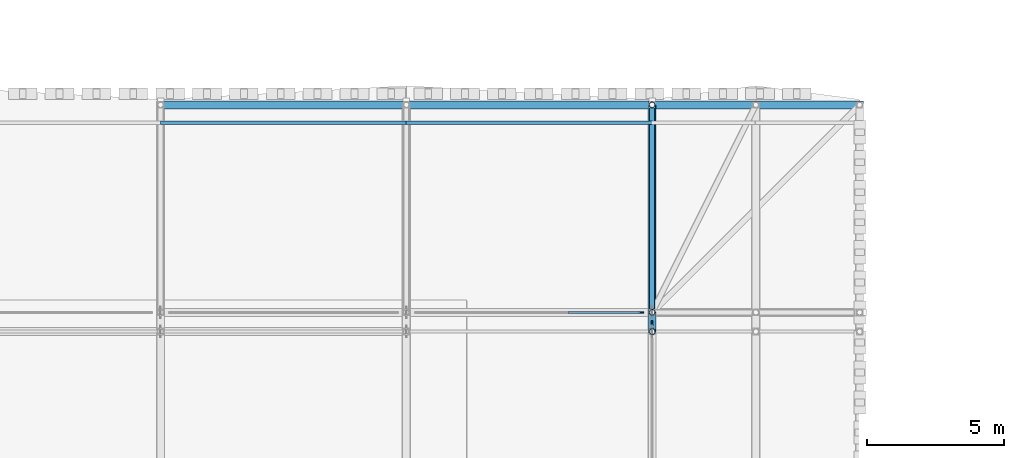
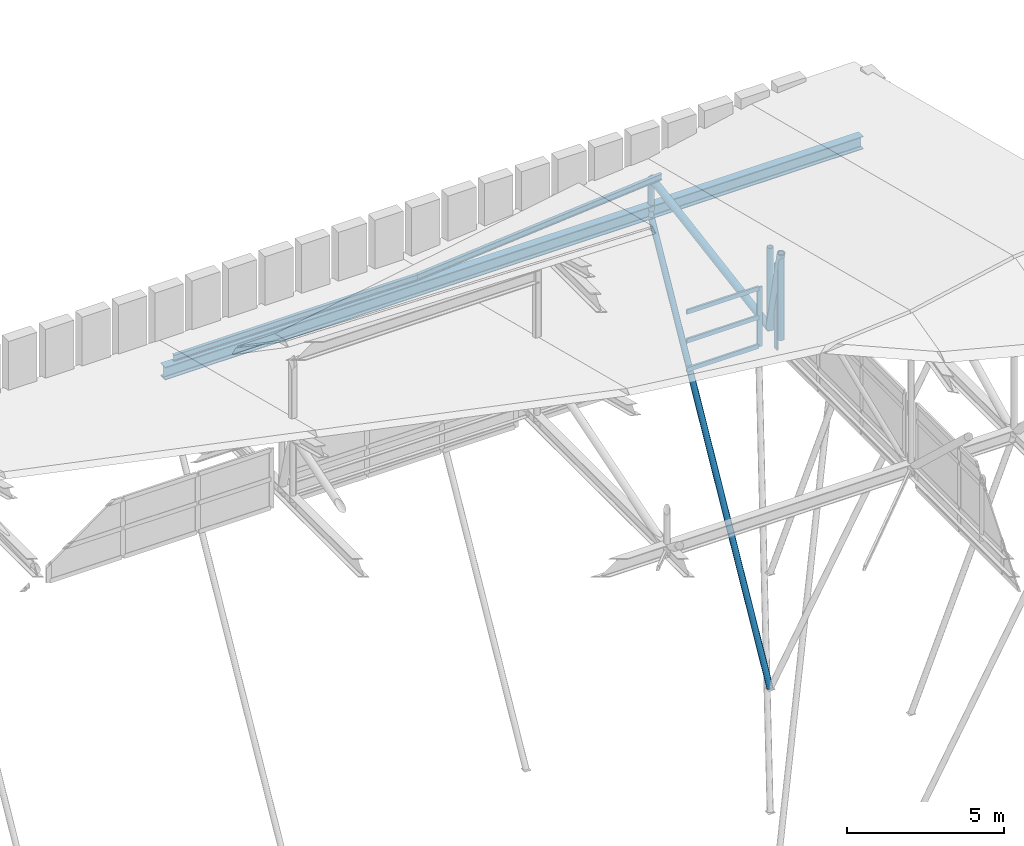
# One storey, part 21 of 42: 13 members, 1 beam, 2 elements without a shape of their own.
"""IFC4 building model written with IfcOpenShell, lengths in metres."""

import ifcopenshell
import ifcopenshell.guid

model = None  # the IFC model being written
_history = None  # IfcOwnerHistory: only IFC2X3 demands one
_inside = {}  # id of a spatial element -> (the spatial element, [elements in it])
_under = {}  # id of a project, library or spatial element -> (it, [spatial elements below it])
_declared = {}  # id of a project -> (the project, [libraries it declares])
_typed = {}  # id of a type object -> (the type object, [elements of that type])
_made_of = {}  # id of a material, layer set ... -> (it, [elements and type objects made of it])


def new_model(schema):
    """Start an empty IFC model of exactly this schema.

    Asked for "IFC4X3", IfcOpenShell would pick the latest addendum, in which some entities
    have other attributes; the version numbers below select the first issue.
    IFC2X3 requires an IfcOwnerHistory on every rooted entity: one is made here for all.
    """
    global model, _history
    if schema == "IFC4X3":
        model = ifcopenshell.file(schema_version=(4, 3, 0, 0))
    else:
        model = ifcopenshell.file(schema=schema)
    _inside.clear()
    _under.clear()
    _declared.clear()
    _typed.clear()
    _made_of.clear()
    _history = None
    if model.schema == "IFC2X3":
        org = make("IfcOrganization", Name="unknown")
        user = make(
            "IfcPersonAndOrganization",
            ThePerson=make("IfcPerson", FamilyName="unknown"),
            TheOrganization=org,
        )
        app = make(
            "IfcApplication",
            ApplicationDeveloper=org,
            Version="unknown",
            ApplicationFullName="unknown",
            ApplicationIdentifier="unknown",
        )
        _history = make(
            "IfcOwnerHistory",
            OwningUser=user,
            OwningApplication=app,
            ChangeAction="ADDED",
            CreationDate=0,
        )
    return model


def make(cls, **values):
    """One entity of the class cls with the attributes given. An attribute that is None is left unset."""
    return model.create_entity(
        cls, **{name: value for name, value in values.items() if value is not None}
    )


def rooted(cls, **values):
    """An entity with a GlobalId (a new one), such as an element, a storey or a relation."""
    return make(cls, GlobalId=ifcopenshell.guid.new(), OwnerHistory=_history, **values)


def si_unit(unit_type, name, prefix=None):
    """IfcSIUnit, for example si_unit("LENGTHUNIT", "METRE", prefix="MILLI")."""
    return make("IfcSIUnit", UnitType=unit_type, Prefix=prefix, Name=name)


def assignment(units):
    """IfcUnitAssignment: the units of a project."""
    return None if units is None else make("IfcUnitAssignment", Units=units)


def point(xyz):
    """IfcCartesianPoint."""
    return None if xyz is None else make("IfcCartesianPoint", Coordinates=xyz)


def direction(xyz):
    """IfcDirection."""
    return None if xyz is None else make("IfcDirection", DirectionRatios=xyz)


def frame(location, z_axis=None, x_axis=None):
    """IfcAxis2Placement3D, a coordinate frame: its origin and axes. An axis left out is left unset."""
    return make(
        "IfcAxis2Placement3D",
        Location=point(location),
        Axis=direction(z_axis),
        RefDirection=direction(x_axis),
    )


def frame_2d(location, x_axis=None):
    """IfcAxis2Placement2D, a coordinate frame in the plane: its origin and x axis."""
    return make(
        "IfcAxis2Placement2D", Location=point(location), RefDirection=direction(x_axis)
    )


def origin():
    """The frame at (0, 0, 0) with its axes left unset."""
    return frame((0.0, 0.0, 0.0))


def origin_2d():
    """The frame at (0, 0) in the plane with its x axis left unset."""
    return frame_2d((0.0, 0.0))


def place(relative_to, where):
    """IfcLocalPlacement: puts the frame where relative to a parent placement (None: the world)."""
    return make(
        "IfcLocalPlacement", PlacementRelTo=relative_to, RelativePlacement=where
    )


def context(
    kind, dimensions, precision=None, world=None, true_north=None, identifier=None
):
    """IfcGeometricRepresentationContext, for example the 3D "Model" context."""
    return make(
        "IfcGeometricRepresentationContext",
        ContextIdentifier=identifier,
        ContextType=kind,
        CoordinateSpaceDimension=dimensions,
        Precision=precision,
        WorldCoordinateSystem=world,
        TrueNorth=true_north,
    )


def subcontext(parent, identifier, kind, view, scale=None):
    """IfcGeometricRepresentationSubContext, for example "Body" below "Model"."""
    return make(
        "IfcGeometricRepresentationSubContext",
        ContextIdentifier=identifier,
        ContextType=kind,
        ParentContext=parent,
        TargetScale=scale,
        TargetView=view,
    )


def project(units=None, contexts=None):
    """IfcProject with its units and contexts."""
    return rooted(
        "IfcProject",
        Name="project",
        RepresentationContexts=contexts,
        UnitsInContext=assignment(units),
    )


def spatial(cls, under=None, at=None, **own):
    """A site, building, storey or space (cls), placed at a placement, below another one or the project."""
    s = rooted(cls, ObjectPlacement=at, **own)
    if under is not None:
        _under.setdefault(under.id(), (under, []))[1].append(s)
    return s


def profile(cls, at=None, kind="AREA", **sizes):
    """A parametric profile (cls). Its sizes go by their IFC names, for example OverallWidth=200.0."""
    return make(cls, ProfileType=kind, Position=at, **sizes)


def rectangle(**sizes):
    """IfcRectangleProfileDef."""
    return profile("IfcRectangleProfileDef", **sizes)


def hollow_circle(**sizes):
    """IfcCircleHollowProfileDef."""
    return profile("IfcCircleHollowProfileDef", **sizes)


def i_section(**sizes):
    """IfcIShapeProfileDef."""
    return profile("IfcIShapeProfileDef", **sizes)


def extrude(swept, where, along, depth):
    """IfcExtrudedAreaSolid: the profile swept, set in the frame where, extruded along a direction by depth."""
    return make(
        "IfcExtrudedAreaSolid",
        SweptArea=swept,
        Position=where,
        ExtrudedDirection=direction(along),
        Depth=depth,
    )


def shape(context_of_items, identifier, shape_type, items):
    """IfcShapeRepresentation: the items that make up one representation, for example the "Body"."""
    return make(
        "IfcShapeRepresentation",
        ContextOfItems=context_of_items,
        RepresentationIdentifier=identifier,
        RepresentationType=shape_type,
        Items=items,
    )


def material(Name=None, Category=None):
    """IfcMaterial."""
    return make("IfcMaterial", Name=Name, Category=Category)


def material_profile(
    of_material, cross_section, Name=None, Category=None, Priority=None
):
    """IfcMaterialProfile: a cross section and its material."""
    return make(
        "IfcMaterialProfile",
        Name=Name,
        Material=of_material,
        Profile=cross_section,
        Priority=Priority,
        Category=Category,
    )


def profile_set(profiles, Name=None, composite=None):
    """IfcMaterialProfileSet."""
    return make(
        "IfcMaterialProfileSet",
        Name=Name,
        MaterialProfiles=profiles,
        CompositeProfile=composite,
    )


def made_of(thing, what):
    """Note that an element or type object is made of a material, layer set ...; save() writes the relation."""
    if what is not None:
        _made_of.setdefault(what.id(), (what, []))[1].append(thing)
    return thing


def type_object(cls, material=None, **own):
    """A type object (cls), such as IfcWallType, which elements share."""
    return made_of(rooted(cls, **own), material)


def element(
    cls,
    number,
    at=None,
    inside=None,
    cuts=None,
    type_object=None,
    material=None,
    context=None,
    identifier="Body",
    shape_type=None,
    held_by="IfcProductDefinitionShape",
    body=None,
    shapes=None,
    **own,
):
    """One element of the class cls, such as IfcWall. Its Tag is "e" and its number.

    at: its placement. inside: the storey or other place that contains it. cuts: it is an
    opening in that element (IfcRelVoidsElement). A single representation is given by context,
    identifier, shape_type and body (its items); several are given by shapes. held_by: the class
    of the entity that holds the representations. save() writes the other relations.
    """
    e = rooted(cls, Tag="e%d" % number, ObjectPlacement=at, **own)
    if body is not None:
        shapes = [shape(context, identifier, shape_type, body)]
    if shapes is not None:
        e.Representation = make(held_by, Representations=shapes)
    if inside is not None:
        _inside.setdefault(inside.id(), (inside, []))[1].append(e)
    if cuts is not None:
        rooted(
            "IfcRelVoidsElement", RelatingBuildingElement=cuts, RelatedOpeningElement=e
        )
    if type_object is not None:
        _typed.setdefault(type_object.id(), (type_object, []))[1].append(e)
    return made_of(e, material)


def aggregate(whole, parts):
    """IfcRelAggregates: a whole, such as a stair, and the parts it consists of."""
    return rooted("IfcRelAggregates", RelatingObject=whole, RelatedObjects=parts)


def save(model, path):
    """Write the relations noted so far, then the file.

    IfcRelAggregates (storeys below a building ...), IfcRelContainedInSpatialStructure (elements
    in a storey), IfcRelDefinesByType, IfcRelAssociatesMaterial and IfcRelDeclares: one each for
    every whole, place, type object, material and project.
    """
    for whole, parts in _under.values():
        aggregate(whole, parts)
    for where, things in _inside.values():
        rooted(
            "IfcRelContainedInSpatialStructure",
            RelatedElements=things,
            RelatingStructure=where,
        )
    for kind, things in _typed.values():
        rooted("IfcRelDefinesByType", RelatedObjects=things, RelatingType=kind)
    for what, things in _made_of.values():
        rooted("IfcRelAssociatesMaterial", RelatedObjects=things, RelatingMaterial=what)
    for by, libraries in _declared.values():
        rooted("IfcRelDeclares", RelatingContext=by, RelatedDefinitions=libraries)
    model.write(path)


model = new_model("IFC4")

# Units and contexts
model_context = context("Model", 3, precision=1e-05, world=origin(), true_north=direction((0.0, 1.0)))
body_context = subcontext(model_context, "Body", "Model", "MODEL_VIEW")
ifc_project = project(units=[si_unit("LENGTHUNIT", "METRE"), si_unit("AREAUNIT", "SQUARE_METRE"), si_unit("VOLUMEUNIT", "CUBIC_METRE"), si_unit("PLANEANGLEUNIT", "RADIAN"), si_unit("MASSUNIT", "GRAM", prefix="KILO")], contexts=[model_context])

# Site, building, storey
site_placement = place(None, origin())
site = spatial("IfcSite", under=ifc_project, at=site_placement, CompositionType="ELEMENT")
building_placement = place(site_placement, origin())
building = spatial("IfcBuilding", under=site, at=building_placement, Name="Bozkorgan Art Gallery", CompositionType="ELEMENT")
storey_placement = place(building_placement, frame((0.0, 0.0, 28.800048828125)))
storey = spatial("IfcBuildingStorey", under=building, at=storey_placement, Name="RF", CompositionType="ELEMENT", Elevation=28.800048828125)

# Beam
ifc_material_1 = material(Name="Steel S355J2", Category="steel")
ifc_material_profile_1 = material_profile(ifc_material_1, i_section(OverallWidth=0.300048828125, OverallDepth=0.5, WebThickness=0.014404296875, FlangeThickness=0.028076171875, FilletRadius=0.027099609375, at=origin_2d()), Name="HEB 500")
ifc_profile_set_1 = profile_set([ifc_material_profile_1], Name="Steel S355J2")
beam_type = type_object("IfcBeamType", Name="BEAM-TO-52", PredefinedType="BEAM", material=ifc_profile_set_1)
beam_placement = place(storey_placement, frame((47.0, 27.60009765625, 0.25), z_axis=(1.0, 0.0, 0.0), x_axis=(0.0, 1.0, 0.0)))
element("IfcBeam", 1, at=beam_placement, inside=storey, type_object=beam_type, Name="ROOF-V1-MAIN east overhang continuous truss chord 4", PredefinedType="BEAM", context=body_context, shape_type="SweptSolid", body=[
    extrude(i_section(OverallWidth=0.300048828125, OverallDepth=0.5, WebThickness=0.014404296875, FlangeThickness=0.028076171875, FilletRadius=0.027099609375, at=origin_2d()), origin(), (0.0, 0.0, 1.0), 25.739990234375),
])

# Curtain wall, member
ifc_material_2 = material(Name="Anodised Bronze Aluminium", Category="aluminium")
curtain_wall_type_1 = type_object("IfcCurtainWallType", Name="CW-CW-28", PredefinedType="NOTDEFINED", material=ifc_material_2)
curtain_wall_1_placement = place(storey_placement, origin())
curtain_wall_1 = element("IfcCurtainWall", 2, at=curtain_wall_1_placement, inside=storey, type_object=curtain_wall_type_1, Name="RF unitised curtain wall CW-RF-V1-N-56", PredefinedType="NOTDEFINED")
ifc_material_profile_2 = material_profile(ifc_material_2, rectangle(XDim=0.06494140625, YDim=0.179931640625, at=origin_2d()), Name="ALU MULLION 65x180")
ifc_profile_set_2 = profile_set([ifc_material_profile_2], Name="Anodised Bronze Aluminium")
member_type_1 = type_object("IfcMemberType", Name="CWM-01", PredefinedType="MULLION", material=ifc_profile_set_2)
member_1_placement = place(storey_placement, frame((64.607421875, 20.0, -0.324951171875), z_axis=(0.0, 0.0, 1.0), x_axis=(0.0, 1.0, 0.0)))
member_1 = element("IfcMember", 3, at=member_1_placement, type_object=member_type_1, Name="CW-28 mullion 4", PredefinedType="MULLION", context=body_context, shape_type="SweptSolid", body=[
    extrude(rectangle(XDim=0.06494140625, YDim=0.179931640625, at=origin_2d()), origin(), (0.0, 0.0, 1.0), 2.324951171875),
])

curtain_wall_type_2 = type_object("IfcCurtainWallType", Name="CW-CW-62", PredefinedType="NOTDEFINED", material=ifc_material_2)
curtain_wall_2_placement = place(storey_placement, origin())
curtain_wall_2 = element("IfcCurtainWall", 4, at=curtain_wall_2_placement, inside=storey, type_object=curtain_wall_type_2, Name="RF unitised curtain wall CW-RF-V1-E-11", PredefinedType="NOTDEFINED")
member_2_placement = place(storey_placement, frame((65.0, 19.607421875, -0.324951171875), z_axis=(0.0, 0.0, 1.0), x_axis=(-1.0, 0.0, 0.0)))
member_2 = element("IfcMember", 5, at=member_2_placement, type_object=member_type_1, Name="CW-62 mullion 4", PredefinedType="MULLION", context=body_context, shape_type="SweptSolid", body=[
    extrude(rectangle(XDim=0.06494140625, YDim=0.179931640625, at=origin_2d()), origin(), (0.0, 0.0, 1.0), 3.324951171875),
])
aggregate(curtain_wall_2, [member_2])

# Member
ifc_material_profile_3 = material_profile(ifc_material_2, rectangle(XDim=0.074951171875, YDim=0.169921875, at=origin_2d()), Name="ALU TRANSOM 75x170")
ifc_profile_set_3 = profile_set([ifc_material_profile_3], Name="Anodised Bronze Aluminium")
member_type_2 = type_object("IfcMemberType", Name="CWT-02", PredefinedType="USERDEFINED", material=ifc_profile_set_3)
member_3_placement = place(storey_placement, frame((61.91259765625, 20.0, -0.28759765625), z_axis=(1.0, 0.0, 0.0), x_axis=(0.0, 1.0, 0.0)))
member_3 = element("IfcMember", 6, at=member_3_placement, type_object=member_type_2, Name="CW-28 transom 3.1", ObjectType="TRANSOM", PredefinedType="USERDEFINED", context=body_context, shape_type="SweptSolid", body=[
    extrude(rectangle(XDim=0.074951171875, YDim=0.169921875, at=origin_2d()), origin(), (0.0, 0.0, 1.0), 2.662353515625),
])

member_4_placement = place(storey_placement, frame((61.91259765625, 20.0, 0.837890625), z_axis=(1.0, 0.0, 0.0), x_axis=(0.0, 1.0, 0.0)))
member_4 = element("IfcMember", 7, at=member_4_placement, type_object=member_type_2, Name="CW-28 transom 3.2", ObjectType="TRANSOM", PredefinedType="USERDEFINED", context=body_context, shape_type="SweptSolid", body=[
    extrude(rectangle(XDim=0.074951171875, YDim=0.169921875, at=origin_2d()), origin(), (0.0, 0.0, 1.0), 2.662353515625),
])

member_5_placement = place(storey_placement, frame((61.91259765625, 20.0, 1.96240234375), z_axis=(1.0, 0.0, 0.0), x_axis=(0.0, 1.0, 0.0)))
member_5 = element("IfcMember", 8, at=member_5_placement, type_object=member_type_2, Name="CW-28 transom 3.3", ObjectType="TRANSOM", PredefinedType="USERDEFINED", context=body_context, shape_type="SweptSolid", body=[
    extrude(rectangle(XDim=0.074951171875, YDim=0.169921875, at=origin_2d()), origin(), (0.0, 0.0, 1.0), 2.662353515625),
])

aggregate(curtain_wall_1, [member_1, member_3, member_4, member_5])

# Members
ifc_material_profile_4 = material_profile(ifc_material_1, hollow_circle(Radius=0.109619140625, WallThickness=0.010009765625, at=origin_2d()), Name="CHS 219.1x10")
ifc_profile_set_4 = profile_set([ifc_material_profile_4], Name="Steel S355J2")
member_type_3 = type_object("IfcMemberType", Name="MEMBER-ES-44", PredefinedType="BRACE", material=ifc_profile_set_4)
member_6_placement = place(storey_placement, frame((65.0, 20.0, -13.800048828125), z_axis=(0.0, 0.48251516305, 0.875887616893), x_axis=(-1.0, 0.0, 0.0)))
element("IfcMember", 9, at=member_6_placement, inside=storey, type_object=member_type_3, Name="ROOF-V1-MAIN north swept-eave diagonal tree-strut 8", PredefinedType="BRACE", context=body_context, shape_type="SweptSolid", body=[
    extrude(hollow_circle(Radius=0.109619140625, WallThickness=0.010009765625, at=origin_2d()), origin(), (0.0, 0.0, 1.0), 16.041015625),
])
ifc_material_profile_5 = material_profile(ifc_material_1, i_section(OverallWidth=0.1201171875, OverallDepth=0.239990234375, WebThickness=0.006103515625, FlangeThickness=0.009765625, FilletRadius=0.014892578125, at=origin_2d()), Name="IPE 240")
ifc_profile_set_5 = profile_set([ifc_material_profile_5], Name="Steel S355J2")
member_type_4 = type_object("IfcMemberType", Name="MEMBER-PR-34", PredefinedType="PURLIN", material=ifc_profile_set_5)
member_7_placement = place(storey_placement, frame((47.0, 26.949951171875, 1.18603515625), z_axis=(1.0, 0.0, 0.0), x_axis=(0.0, 1.0, 0.0)))
element("IfcMember", 10, at=member_7_placement, inside=storey, type_object=member_type_4, Name="ROOF-V1-MAIN north eave purlin 6", PredefinedType="PURLIN", context=body_context, shape_type="SweptSolid", body=[
    extrude(i_section(OverallWidth=0.1201171875, OverallDepth=0.239990234375, WebThickness=0.006103515625, FlangeThickness=0.009765625, FilletRadius=0.014892578125, at=origin_2d()), origin(), (0.0, 0.0, 1.0), 9.0),
])
member_8_placement = place(storey_placement, frame((56.0, 26.949951171875, 1.18603515625), z_axis=(0.996276805455, 0.0, 0.086212104205), x_axis=(0.0, 1.0, 0.0)))
element("IfcMember", 11, at=member_8_placement, inside=storey, type_object=member_type_4, Name="ROOF-V1-MAIN north eave purlin 7", PredefinedType="PURLIN", context=body_context, shape_type="SweptSolid", body=[
    extrude(i_section(OverallWidth=0.1201171875, OverallDepth=0.239990234375, WebThickness=0.006103515625, FlangeThickness=0.009765625, FilletRadius=0.014892578125, at=origin_2d()), origin(), (0.0, 0.0, 1.0), 9.03369140625),
])
ifc_material_profile_6 = material_profile(ifc_material_1, hollow_circle(Radius=0.109619140625, WallThickness=0.010009765625, at=origin_2d()), Name="CHS 219.1x10")
ifc_profile_set_6 = profile_set([ifc_material_profile_6], Name="Steel S355J2")
member_type_5 = type_object("IfcMemberType", Name="MEMBER-TP-78", PredefinedType="POST", material=ifc_profile_set_6)
member_9_placement = place(storey_placement, frame((65.0, 19.300048828125, 0.25), z_axis=(0.0, 0.0, 1.0), x_axis=(1.0, 0.0, 0.0)))
element("IfcMember", 12, at=member_9_placement, inside=storey, type_object=member_type_5, Name="ROOF-V1-MAIN roof truss 8 post 3", PredefinedType="POST", context=body_context, shape_type="SweptSolid", body=[
    extrude(hollow_circle(Radius=0.109619140625, WallThickness=0.010009765625, at=origin_2d()), origin(), (0.0, 0.0, 1.0), 3.355712890625),
])
member_10_placement = place(storey_placement, frame((65.0, 20.0, 0.25), z_axis=(0.0, 0.0, 1.0), x_axis=(1.0, 0.0, 0.0)))
element("IfcMember", 13, at=member_10_placement, inside=storey, type_object=member_type_5, Name="ROOF-V1-MAIN roof truss 8 post 4", PredefinedType="POST", context=body_context, shape_type="SweptSolid", body=[
    extrude(hollow_circle(Radius=0.109619140625, WallThickness=0.010009765625, at=origin_2d()), origin(), (0.0, 0.0, 1.0), 3.178466796875),
])
member_11_placement = place(storey_placement, frame((65.0, 27.60009765625, 0.25), z_axis=(0.0, 0.0, 1.0), x_axis=(1.0, 0.0, 0.0)))
element("IfcMember", 14, at=member_11_placement, inside=storey, type_object=member_type_5, Name="ROOF-V1-MAIN roof truss 8 post 5", PredefinedType="POST", context=body_context, shape_type="SweptSolid", body=[
    extrude(hollow_circle(Radius=0.109619140625, WallThickness=0.010009765625, at=origin_2d()), origin(), (0.0, 0.0, 1.0), 1.255615234375),
])
ifc_material_profile_7 = material_profile(ifc_material_1, hollow_circle(Radius=0.136474609375, WallThickness=0.012451171875, at=origin_2d()), Name="CHS 273x12.5")
ifc_profile_set_7 = profile_set([ifc_material_profile_7], Name="Steel S355J2")
member_type_6 = type_object("IfcMemberType", Name="MEMBER-TW-28", PredefinedType="BRACE", material=ifc_profile_set_7)
member_12_placement = place(storey_placement, frame((65.0, 19.300048828125, 3.605712890625), z_axis=(0.0, 0.204190308123, -0.978931212123), x_axis=(-1.0, 0.0, 0.0)))
element("IfcMember", 15, at=member_12_placement, inside=storey, type_object=member_type_6, Name="ROOF-V1-MAIN roof truss 8 diagonal 4", PredefinedType="BRACE", context=body_context, shape_type="SweptSolid", body=[
    extrude(hollow_circle(Radius=0.136474609375, WallThickness=0.012451171875, at=origin_2d()), origin(), (0.0, 0.0, 1.0), 3.427978515625),
])
member_13_placement = place(storey_placement, frame((65.0, 20.0, 0.25), z_axis=(0.0, 0.986625924991, 0.163000871578), x_axis=(-1.0, 0.0, 0.0)))
element("IfcMember", 16, at=member_13_placement, inside=storey, type_object=member_type_6, Name="ROOF-V1-MAIN roof truss 8 diagonal 5", PredefinedType="BRACE", context=body_context, shape_type="SweptSolid", body=[
    extrude(hollow_circle(Radius=0.136474609375, WallThickness=0.012451171875, at=origin_2d()), origin(), (0.0, 0.0, 1.0), 7.703125),
])

save(model, "model.ifc")
